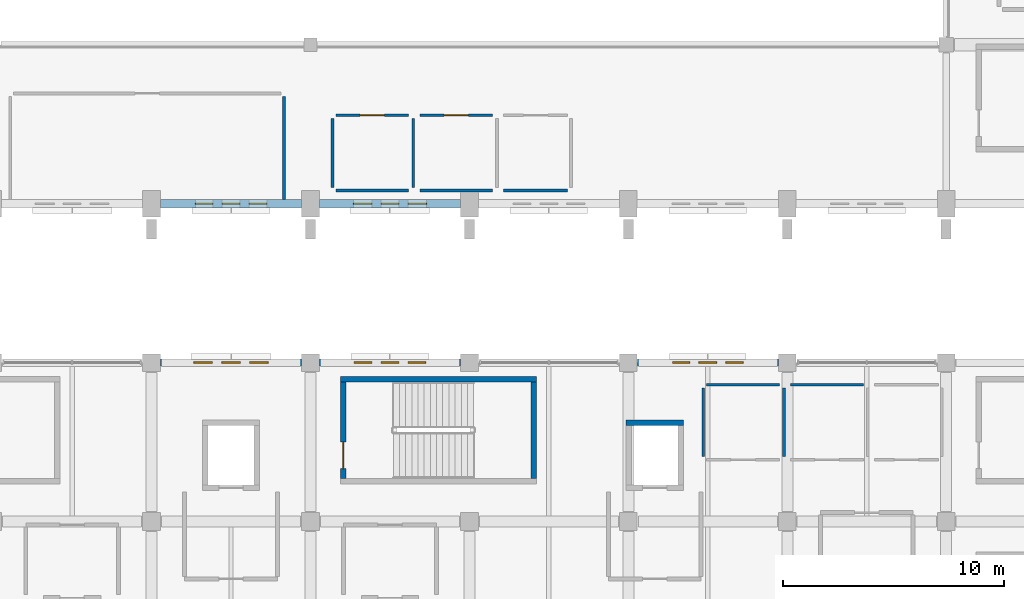
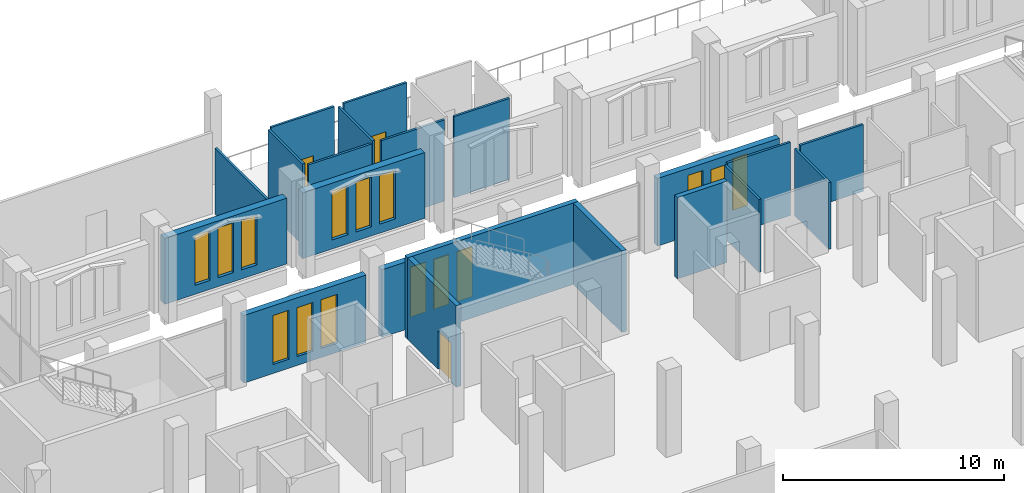
# One storey, part 161 of 220: 21 walls, 15 windows, 3 doors, 18 openings.
"""IFC4 building model written with IfcOpenShell, lengths in metres."""

import ifcopenshell
import ifcopenshell.guid

model = None  # the IFC model being written
_history = None  # IfcOwnerHistory: only IFC2X3 demands one
_inside = {}  # id of a spatial element -> (the spatial element, [elements in it])
_under = {}  # id of a project, library or spatial element -> (it, [spatial elements below it])
_declared = {}  # id of a project -> (the project, [libraries it declares])
_typed = {}  # id of a type object -> (the type object, [elements of that type])
_made_of = {}  # id of a material, layer set ... -> (it, [elements and type objects made of it])


def new_model(schema):
    """Start an empty IFC model of exactly this schema.

    Asked for "IFC4X3", IfcOpenShell would pick the latest addendum, in which some entities
    have other attributes; the version numbers below select the first issue.
    IFC2X3 requires an IfcOwnerHistory on every rooted entity: one is made here for all.
    """
    global model, _history
    if schema == "IFC4X3":
        model = ifcopenshell.file(schema_version=(4, 3, 0, 0))
    else:
        model = ifcopenshell.file(schema=schema)
    _inside.clear()
    _under.clear()
    _declared.clear()
    _typed.clear()
    _made_of.clear()
    _history = None
    if model.schema == "IFC2X3":
        org = make("IfcOrganization", Name="unknown")
        user = make(
            "IfcPersonAndOrganization",
            ThePerson=make("IfcPerson", FamilyName="unknown"),
            TheOrganization=org,
        )
        app = make(
            "IfcApplication",
            ApplicationDeveloper=org,
            Version="unknown",
            ApplicationFullName="unknown",
            ApplicationIdentifier="unknown",
        )
        _history = make(
            "IfcOwnerHistory",
            OwningUser=user,
            OwningApplication=app,
            ChangeAction="ADDED",
            CreationDate=0,
        )
    return model


def make(cls, **values):
    """One entity of the class cls with the attributes given. An attribute that is None is left unset."""
    return model.create_entity(
        cls, **{name: value for name, value in values.items() if value is not None}
    )


def rooted(cls, **values):
    """An entity with a GlobalId (a new one), such as an element, a storey or a relation."""
    return make(cls, GlobalId=ifcopenshell.guid.new(), OwnerHistory=_history, **values)


def si_unit(unit_type, name, prefix=None):
    """IfcSIUnit, for example si_unit("LENGTHUNIT", "METRE", prefix="MILLI")."""
    return make("IfcSIUnit", UnitType=unit_type, Prefix=prefix, Name=name)


def assignment(units):
    """IfcUnitAssignment: the units of a project."""
    return None if units is None else make("IfcUnitAssignment", Units=units)


def point(xyz):
    """IfcCartesianPoint."""
    return None if xyz is None else make("IfcCartesianPoint", Coordinates=xyz)


def direction(xyz):
    """IfcDirection."""
    return None if xyz is None else make("IfcDirection", DirectionRatios=xyz)


def frame(location, z_axis=None, x_axis=None):
    """IfcAxis2Placement3D, a coordinate frame: its origin and axes. An axis left out is left unset."""
    return make(
        "IfcAxis2Placement3D",
        Location=point(location),
        Axis=direction(z_axis),
        RefDirection=direction(x_axis),
    )


def frame_2d(location, x_axis=None):
    """IfcAxis2Placement2D, a coordinate frame in the plane: its origin and x axis."""
    return make(
        "IfcAxis2Placement2D", Location=point(location), RefDirection=direction(x_axis)
    )


def origin():
    """The frame at (0, 0, 0) with its axes left unset."""
    return frame((0.0, 0.0, 0.0))


def place(relative_to, where):
    """IfcLocalPlacement: puts the frame where relative to a parent placement (None: the world)."""
    return make(
        "IfcLocalPlacement", PlacementRelTo=relative_to, RelativePlacement=where
    )


def context(
    kind, dimensions, precision=None, world=None, true_north=None, identifier=None
):
    """IfcGeometricRepresentationContext, for example the 3D "Model" context."""
    return make(
        "IfcGeometricRepresentationContext",
        ContextIdentifier=identifier,
        ContextType=kind,
        CoordinateSpaceDimension=dimensions,
        Precision=precision,
        WorldCoordinateSystem=world,
        TrueNorth=true_north,
    )


def subcontext(parent, identifier, kind, view, scale=None):
    """IfcGeometricRepresentationSubContext, for example "Body" below "Model"."""
    return make(
        "IfcGeometricRepresentationSubContext",
        ContextIdentifier=identifier,
        ContextType=kind,
        ParentContext=parent,
        TargetScale=scale,
        TargetView=view,
    )


def project(units=None, contexts=None):
    """IfcProject with its units and contexts."""
    return rooted(
        "IfcProject",
        Name="project",
        RepresentationContexts=contexts,
        UnitsInContext=assignment(units),
    )


def spatial(cls, under=None, at=None, **own):
    """A site, building, storey or space (cls), placed at a placement, below another one or the project."""
    s = rooted(cls, ObjectPlacement=at, **own)
    if under is not None:
        _under.setdefault(under.id(), (under, []))[1].append(s)
    return s


def profile(cls, at=None, kind="AREA", **sizes):
    """A parametric profile (cls). Its sizes go by their IFC names, for example OverallWidth=200.0."""
    return make(cls, ProfileType=kind, Position=at, **sizes)


def rectangle(**sizes):
    """IfcRectangleProfileDef."""
    return profile("IfcRectangleProfileDef", **sizes)


def extrude(swept, where, along, depth):
    """IfcExtrudedAreaSolid: the profile swept, set in the frame where, extruded along a direction by depth."""
    return make(
        "IfcExtrudedAreaSolid",
        SweptArea=swept,
        Position=where,
        ExtrudedDirection=direction(along),
        Depth=depth,
    )


def shape(context_of_items, identifier, shape_type, items):
    """IfcShapeRepresentation: the items that make up one representation, for example the "Body"."""
    return make(
        "IfcShapeRepresentation",
        ContextOfItems=context_of_items,
        RepresentationIdentifier=identifier,
        RepresentationType=shape_type,
        Items=items,
    )


def material(Name=None, Category=None):
    """IfcMaterial."""
    return make("IfcMaterial", Name=Name, Category=Category)


def layer(
    of_material, thickness, ventilated=None, Name=None, Category=None, Priority=None
):
    """IfcMaterialLayer: one layer of a wall or slab, of a material (None: an air gap)."""
    return make(
        "IfcMaterialLayer",
        Material=of_material,
        LayerThickness=thickness,
        IsVentilated=ventilated,
        Name=Name,
        Category=Category,
        Priority=Priority,
    )


def layer_set(layers, Name=None):
    """IfcMaterialLayerSet."""
    return make("IfcMaterialLayerSet", MaterialLayers=layers, LayerSetName=Name)


def made_of(thing, what):
    """Note that an element or type object is made of a material, layer set ...; save() writes the relation."""
    if what is not None:
        _made_of.setdefault(what.id(), (what, []))[1].append(thing)
    return thing


def type_object(cls, material=None, **own):
    """A type object (cls), such as IfcWallType, which elements share."""
    return made_of(rooted(cls, **own), material)


def element(
    cls,
    number,
    at=None,
    inside=None,
    cuts=None,
    type_object=None,
    material=None,
    context=None,
    identifier="Body",
    shape_type=None,
    held_by="IfcProductDefinitionShape",
    body=None,
    shapes=None,
    **own,
):
    """One element of the class cls, such as IfcWall. Its Tag is "e" and its number.

    at: its placement. inside: the storey or other place that contains it. cuts: it is an
    opening in that element (IfcRelVoidsElement). A single representation is given by context,
    identifier, shape_type and body (its items); several are given by shapes. held_by: the class
    of the entity that holds the representations. save() writes the other relations.
    """
    e = rooted(cls, Tag="e%d" % number, ObjectPlacement=at, **own)
    if body is not None:
        shapes = [shape(context, identifier, shape_type, body)]
    if shapes is not None:
        e.Representation = make(held_by, Representations=shapes)
    if inside is not None:
        _inside.setdefault(inside.id(), (inside, []))[1].append(e)
    if cuts is not None:
        rooted(
            "IfcRelVoidsElement", RelatingBuildingElement=cuts, RelatedOpeningElement=e
        )
    if type_object is not None:
        _typed.setdefault(type_object.id(), (type_object, []))[1].append(e)
    return made_of(e, material)


def fill(opening, filler):
    """IfcRelFillsElement: the door or window that sits in an opening."""
    return rooted(
        "IfcRelFillsElement",
        RelatingOpeningElement=opening,
        RelatedBuildingElement=filler,
    )


def aggregate(whole, parts):
    """IfcRelAggregates: a whole, such as a stair, and the parts it consists of."""
    return rooted("IfcRelAggregates", RelatingObject=whole, RelatedObjects=parts)


def save(model, path):
    """Write the relations noted so far, then the file.

    IfcRelAggregates (storeys below a building ...), IfcRelContainedInSpatialStructure (elements
    in a storey), IfcRelDefinesByType, IfcRelAssociatesMaterial and IfcRelDeclares: one each for
    every whole, place, type object, material and project.
    """
    for whole, parts in _under.values():
        aggregate(whole, parts)
    for where, things in _inside.values():
        rooted(
            "IfcRelContainedInSpatialStructure",
            RelatedElements=things,
            RelatingStructure=where,
        )
    for kind, things in _typed.values():
        rooted("IfcRelDefinesByType", RelatedObjects=things, RelatingType=kind)
    for what, things in _made_of.values():
        rooted("IfcRelAssociatesMaterial", RelatedObjects=things, RelatingMaterial=what)
    for by, libraries in _declared.values():
        rooted("IfcRelDeclares", RelatingContext=by, RelatedDefinitions=libraries)
    model.write(path)


model = new_model("IFC4")

# Units and contexts
model_context = context("Model", 3, precision=1e-05, world=origin(), true_north=direction((0.0, 1.0)))
body_context = subcontext(model_context, "Body", "Model", "MODEL_VIEW")
ifc_project = project(units=[si_unit("LENGTHUNIT", "METRE"), si_unit("AREAUNIT", "SQUARE_METRE"), si_unit("VOLUMEUNIT", "CUBIC_METRE"), si_unit("PLANEANGLEUNIT", "RADIAN"), si_unit("MASSUNIT", "GRAM", prefix="KILO")], contexts=[model_context])

# Site, building, storey
site_placement = place(None, origin())
site = spatial("IfcSite", under=ifc_project, at=site_placement, CompositionType="ELEMENT")
building_placement = place(site_placement, origin())
building = spatial("IfcBuilding", under=site, at=building_placement, Name="Cendralis Lancet Convention Centre", CompositionType="ELEMENT")
storey_placement = place(building_placement, frame((0.0, 0.0, 5.39990234375)))
storey = spatial("IfcBuildingStorey", under=building, at=storey_placement, Name="L01", CompositionType="ELEMENT", Elevation=5.39990234375)

# Wall, openings, windows
ifc_material_1 = material(Name="Buff sandstone ashlar and Concrete G40 (C40/50)", Category="masonry")
ifc_layer_1 = layer(ifc_material_1, 0.320068359375, Name="Buff sandstone ashlar and Concrete G40 (C40/50)")
ifc_layer_set_1 = layer_set([ifc_layer_1], Name="Buff sandstone ashlar and Concrete G40 (C40/50)")
wall_type_1 = type_object("IfcWallType", Name="ARC-EW-W320", PredefinedType="STANDARD", material=ifc_layer_set_1)
wall_1_placement = place(storey_placement, frame((161.2080078125, 36.0, 0.0), z_axis=(0.0, 0.0, 1.0), x_axis=(1.0, 0.0, 0.0)))
wall_1 = element("IfcWall", 1, at=wall_1_placement, inside=storey, type_object=wall_type_1, Name="L01 V5 Exterior Wall EW-06 #0268", PredefinedType="STANDARD", context=body_context, shape_type="SweptSolid", body=[
    extrude(rectangle(XDim=6.384033203125, YDim=0.320068359375, at=frame_2d((3.19189453125, 0.0))), origin(), (0.0, 0.0, 1.0), 3.735107421875),
])
opening_1_placement = place(wall_1_placement, frame((1.511962890625, 0.0, 0.5)))
opening_1 = element("IfcOpeningElement", 2, at=opening_1_placement, cuts=wall_1, Name="Opening WN-15", PredefinedType="OPENING", context=body_context, shape_type="SweptSolid", body=[
    extrude(rectangle(XDim=0.840087890625, YDim=2.699951171875, at=frame_2d((0.419921875, 1.35009765625))), frame((0.0, 0.169921875, 0.0), z_axis=(0.0, -1.0, 0.0), x_axis=(1.0, 0.0, 0.0)), (0.0, 0.0, 1.0), 0.340087890625),
])
opening_2_placement = place(wall_1_placement, frame((2.77197265625, 0.0, 0.5)))
opening_2 = element("IfcOpeningElement", 3, at=opening_2_placement, cuts=wall_1, Name="Opening WN-15", PredefinedType="OPENING", context=body_context, shape_type="SweptSolid", body=[
    extrude(rectangle(XDim=0.840087890625, YDim=2.699951171875, at=frame_2d((0.419921875, 1.35009765625))), frame((0.0, 0.169921875, 0.0), z_axis=(0.0, -1.0, 0.0), x_axis=(1.0, 0.0, 0.0)), (0.0, 0.0, 1.0), 0.340087890625),
])
opening_3_placement = place(wall_1_placement, frame((4.031982421875, 0.0, 0.5)))
opening_3 = element("IfcOpeningElement", 4, at=opening_3_placement, cuts=wall_1, Name="Opening WN-15", PredefinedType="OPENING", context=body_context, shape_type="SweptSolid", body=[
    extrude(rectangle(XDim=0.840087890625, YDim=2.699951171875, at=frame_2d((0.419921875, 1.35009765625))), frame((0.0, 0.169921875, 0.0), z_axis=(0.0, -1.0, 0.0), x_axis=(1.0, 0.0, 0.0)), (0.0, 0.0, 1.0), 0.340087890625),
])
ifc_material_2 = material(Name="Double-glazed low-E solar-control glass", Category="glass")
window_type_1 = type_object("IfcWindowType", Name="ARC-WN-LW15", PartitioningType="SINGLE_PANEL", PredefinedType="WINDOW", material=ifc_material_2)
window_1_placement = place(opening_1_placement, origin())
window_1 = element("IfcWindow", 5, at=window_1_placement, inside=storey, type_object=window_type_1, Name="Gothic Lancet Window WN-15 #0508", OverallHeight=2.699951171875, OverallWidth=0.840087890625, PartitioningType="SINGLE_PANEL", PredefinedType="WINDOW", context=body_context, shape_type="SweptSolid", body=[
    extrude(rectangle(XDim=0.840087890625, YDim=2.699951171875, at=frame_2d((0.419921875, 1.35009765625))), frame((0.0, 0.030029296875, 0.0), z_axis=(0.0, -1.0, 0.0), x_axis=(1.0, 0.0, 0.0)), (0.0, 0.0, 1.0), 0.06005859375),
])
fill(opening_1, window_1)
window_2_placement = place(opening_2_placement, origin())
window_2 = element("IfcWindow", 6, at=window_2_placement, inside=storey, type_object=window_type_1, Name="Gothic Lancet Window WN-15 #0509", OverallHeight=2.699951171875, OverallWidth=0.840087890625, PartitioningType="SINGLE_PANEL", PredefinedType="WINDOW", context=body_context, shape_type="SweptSolid", body=[
    extrude(rectangle(XDim=0.840087890625, YDim=2.699951171875, at=frame_2d((0.419921875, 1.35009765625))), frame((0.0, 0.030029296875, 0.0), z_axis=(0.0, -1.0, 0.0), x_axis=(1.0, 0.0, 0.0)), (0.0, 0.0, 1.0), 0.06005859375),
])
fill(opening_2, window_2)
window_3_placement = place(opening_3_placement, origin())
window_3 = element("IfcWindow", 7, at=window_3_placement, inside=storey, type_object=window_type_1, Name="Gothic Lancet Window WN-15 #0510", OverallHeight=2.699951171875, OverallWidth=0.840087890625, PartitioningType="SINGLE_PANEL", PredefinedType="WINDOW", context=body_context, shape_type="SweptSolid", body=[
    extrude(rectangle(XDim=0.840087890625, YDim=2.699951171875, at=frame_2d((0.419921875, 1.35009765625))), frame((0.0, 0.030029296875, 0.0), z_axis=(0.0, -1.0, 0.0), x_axis=(1.0, 0.0, 0.0)), (0.0, 0.0, 1.0), 0.06005859375),
])
fill(opening_3, window_3)

wall_2_placement = place(storey_placement, frame((168.407958984375, 36.0, 0.0), z_axis=(0.0, 0.0, 1.0), x_axis=(1.0, 0.0, 0.0)))
wall_2 = element("IfcWall", 8, at=wall_2_placement, inside=storey, type_object=wall_type_1, Name="L01 V5 Exterior Wall EW-06 #0269", PredefinedType="STANDARD", context=body_context, shape_type="SweptSolid", body=[
    extrude(rectangle(XDim=6.384033203125, YDim=0.320068359375, at=frame_2d((3.19189453125, 0.0))), origin(), (0.0, 0.0, 1.0), 3.735107421875),
])
opening_4_placement = place(wall_2_placement, frame((1.572021484375, 0.0, 0.5)))
opening_4 = element("IfcOpeningElement", 9, at=opening_4_placement, cuts=wall_2, Name="Opening WN-07", PredefinedType="OPENING", context=body_context, shape_type="SweptSolid", body=[
    extrude(rectangle(XDim=0.800048828125, YDim=2.75, at=frame_2d((0.39990234375, 1.375))), frame((0.0, 0.169921875, 0.0), z_axis=(0.0, -1.0, 0.0), x_axis=(1.0, 0.0, 0.0)), (0.0, 0.0, 1.0), 0.340087890625),
])
opening_5_placement = place(wall_2_placement, frame((2.7919921875, 0.0, 0.5)))
opening_5 = element("IfcOpeningElement", 10, at=opening_5_placement, cuts=wall_2, Name="Opening WN-07", PredefinedType="OPENING", context=body_context, shape_type="SweptSolid", body=[
    extrude(rectangle(XDim=0.800048828125, YDim=2.75, at=frame_2d((0.39990234375, 1.375))), frame((0.0, 0.169921875, 0.0), z_axis=(0.0, -1.0, 0.0), x_axis=(1.0, 0.0, 0.0)), (0.0, 0.0, 1.0), 0.340087890625),
])
opening_6_placement = place(wall_2_placement, frame((4.011962890625, 0.0, 0.5)))
opening_6 = element("IfcOpeningElement", 11, at=opening_6_placement, cuts=wall_2, Name="Opening WN-07", PredefinedType="OPENING", context=body_context, shape_type="SweptSolid", body=[
    extrude(rectangle(XDim=0.800048828125, YDim=2.75, at=frame_2d((0.39990234375, 1.375))), frame((0.0, 0.169921875, 0.0), z_axis=(0.0, -1.0, 0.0), x_axis=(1.0, 0.0, 0.0)), (0.0, 0.0, 1.0), 0.340087890625),
])
window_type_2 = type_object("IfcWindowType", Name="ARC-WN-LW07", PartitioningType="SINGLE_PANEL", PredefinedType="WINDOW", material=ifc_material_2)
window_4_placement = place(opening_4_placement, origin())
window_4 = element("IfcWindow", 12, at=window_4_placement, inside=storey, type_object=window_type_2, Name="Gothic Lancet Window WN-07 #0511", OverallHeight=2.75, OverallWidth=0.800048828125, PartitioningType="SINGLE_PANEL", PredefinedType="WINDOW", context=body_context, shape_type="SweptSolid", body=[
    extrude(rectangle(XDim=0.800048828125, YDim=2.75, at=frame_2d((0.39990234375, 1.375))), frame((0.0, 0.030029296875, 0.0), z_axis=(0.0, -1.0, 0.0), x_axis=(1.0, 0.0, 0.0)), (0.0, 0.0, 1.0), 0.06005859375),
])
fill(opening_4, window_4)
window_5_placement = place(opening_5_placement, origin())
window_5 = element("IfcWindow", 13, at=window_5_placement, inside=storey, type_object=window_type_2, Name="Gothic Lancet Window WN-07 #0512", OverallHeight=2.75, OverallWidth=0.800048828125, PartitioningType="SINGLE_PANEL", PredefinedType="WINDOW", context=body_context, shape_type="SweptSolid", body=[
    extrude(rectangle(XDim=0.800048828125, YDim=2.75, at=frame_2d((0.39990234375, 1.375))), frame((0.0, 0.030029296875, 0.0), z_axis=(0.0, -1.0, 0.0), x_axis=(1.0, 0.0, 0.0)), (0.0, 0.0, 1.0), 0.06005859375),
])
fill(opening_5, window_5)
window_6_placement = place(opening_6_placement, origin())
window_6 = element("IfcWindow", 14, at=window_6_placement, inside=storey, type_object=window_type_2, Name="Gothic Lancet Window WN-07 #0513", OverallHeight=2.75, OverallWidth=0.800048828125, PartitioningType="SINGLE_PANEL", PredefinedType="WINDOW", context=body_context, shape_type="SweptSolid", body=[
    extrude(rectangle(XDim=0.800048828125, YDim=2.75, at=frame_2d((0.39990234375, 1.375))), frame((0.0, 0.030029296875, 0.0), z_axis=(0.0, -1.0, 0.0), x_axis=(1.0, 0.0, 0.0)), (0.0, 0.0, 1.0), 0.06005859375),
])
fill(opening_6, window_6)

wall_3_placement = place(storey_placement, frame((182.80810546875, 36.0, 0.0), z_axis=(0.0, 0.0, 1.0), x_axis=(1.0, 0.0, 0.0)))
wall_3 = element("IfcWall", 15, at=wall_3_placement, inside=storey, type_object=wall_type_1, Name="L01 V5 Exterior Wall EW-06 #0270", PredefinedType="STANDARD", context=body_context, shape_type="SweptSolid", body=[
    extrude(rectangle(XDim=6.3837890625, YDim=0.320068359375, at=frame_2d((3.19189453125, 0.0))), origin(), (0.0, 0.0, 1.0), 3.735107421875),
])
opening_7_placement = place(wall_3_placement, frame((1.592041015625, 0.0, 0.5)))
opening_7 = element("IfcOpeningElement", 16, at=opening_7_placement, cuts=wall_3, Name="Opening WN-01", PredefinedType="OPENING", context=body_context, shape_type="SweptSolid", body=[
    extrude(rectangle(XDim=0.780029296875, YDim=2.85009765625, at=frame_2d((0.39013671875, 1.425048828125))), frame((0.0, 0.169921875, 0.0), z_axis=(0.0, -1.0, 0.0), x_axis=(1.0, 0.0, 0.0)), (0.0, 0.0, 1.0), 0.340087890625),
])
opening_8_placement = place(wall_3_placement, frame((2.7919921875, 0.0, 0.5)))
opening_8 = element("IfcOpeningElement", 17, at=opening_8_placement, cuts=wall_3, Name="Opening WN-07", PredefinedType="OPENING", context=body_context, shape_type="SweptSolid", body=[
    extrude(rectangle(XDim=0.800048828125, YDim=2.75, at=frame_2d((0.39990234375, 1.375))), frame((0.0, 0.169921875, 0.0), z_axis=(0.0, -1.0, 0.0), x_axis=(1.0, 0.0, 0.0)), (0.0, 0.0, 1.0), 0.340087890625),
])
opening_9_placement = place(wall_3_placement, frame((4.011962890625, 0.0, 0.5)))
opening_9 = element("IfcOpeningElement", 18, at=opening_9_placement, cuts=wall_3, Name="Opening WN-01", PredefinedType="OPENING", context=body_context, shape_type="SweptSolid", body=[
    extrude(rectangle(XDim=0.780029296875, YDim=2.85009765625, at=frame_2d((0.39013671875, 1.425048828125))), frame((0.0, 0.169921875, 0.0), z_axis=(0.0, -1.0, 0.0), x_axis=(1.0, 0.0, 0.0)), (0.0, 0.0, 1.0), 0.340087890625),
])
window_type_3 = type_object("IfcWindowType", Name="ARC-WN-LW01", PartitioningType="SINGLE_PANEL", PredefinedType="WINDOW", material=ifc_material_2)
window_7_placement = place(opening_7_placement, origin())
window_7 = element("IfcWindow", 19, at=window_7_placement, inside=storey, type_object=window_type_3, Name="Gothic Lancet Window WN-01 #0514", OverallHeight=2.85009765625, OverallWidth=0.780029296875, PartitioningType="SINGLE_PANEL", PredefinedType="WINDOW", context=body_context, shape_type="SweptSolid", body=[
    extrude(rectangle(XDim=0.780029296875, YDim=2.85009765625, at=frame_2d((0.39013671875, 1.425048828125))), frame((0.0, 0.030029296875, 0.0), z_axis=(0.0, -1.0, 0.0), x_axis=(1.0, 0.0, 0.0)), (0.0, 0.0, 1.0), 0.06005859375),
])
fill(opening_7, window_7)
window_8_placement = place(opening_9_placement, origin())
window_8 = element("IfcWindow", 20, at=window_8_placement, inside=storey, type_object=window_type_3, Name="Gothic Lancet Window WN-01 #0516", OverallHeight=2.85009765625, OverallWidth=0.780029296875, PartitioningType="SINGLE_PANEL", PredefinedType="WINDOW", context=body_context, shape_type="SweptSolid", body=[
    extrude(rectangle(XDim=0.780029296875, YDim=2.85009765625, at=frame_2d((0.39013671875, 1.425048828125))), frame((0.0, 0.030029296875, 0.0), z_axis=(0.0, -1.0, 0.0), x_axis=(1.0, 0.0, 0.0)), (0.0, 0.0, 1.0), 0.06005859375),
])
fill(opening_9, window_8)
window_9_placement = place(opening_8_placement, origin())
window_9 = element("IfcWindow", 21, at=window_9_placement, inside=storey, type_object=window_type_2, Name="Gothic Lancet Window WN-07 #0515", OverallHeight=2.75, OverallWidth=0.800048828125, PartitioningType="SINGLE_PANEL", PredefinedType="WINDOW", context=body_context, shape_type="SweptSolid", body=[
    extrude(rectangle(XDim=0.800048828125, YDim=2.75, at=frame_2d((0.39990234375, 1.375))), frame((0.0, 0.030029296875, 0.0), z_axis=(0.0, -1.0, 0.0), x_axis=(1.0, 0.0, 0.0)), (0.0, 0.0, 1.0), 0.06005859375),
])
fill(opening_8, window_9)

ifc_layer_2 = layer(ifc_material_1, 0.3798828125, Name="Buff sandstone ashlar and Concrete G40 (C40/50)")
ifc_layer_set_2 = layer_set([ifc_layer_2], Name="Buff sandstone ashlar and Concrete G40 (C40/50)")
wall_type_2 = type_object("IfcWallType", Name="ARC-EW-W380", PredefinedType="STANDARD", material=ifc_layer_set_2)
wall_4_placement = place(storey_placement, frame((167.592041015625, 43.199951171875, 0.0), z_axis=(0.0, 0.0, 1.0), x_axis=(-1.0, 0.0, 0.0)))
wall_4 = element("IfcWall", 22, at=wall_4_placement, inside=storey, type_object=wall_type_2, Name="L01 V2 Exterior Wall EW-03 #0093", PredefinedType="STANDARD", context=body_context, shape_type="SweptSolid", body=[
    extrude(rectangle(XDim=6.384033203125, YDim=0.3798828125, at=frame_2d((3.19189453125, 0.0))), origin(), (0.0, 0.0, 1.0), 3.635009765625),
])
opening_10_placement = place(wall_4_placement, frame((1.572021484375, 0.0, 0.5)))
opening_10 = element("IfcOpeningElement", 23, at=opening_10_placement, cuts=wall_4, Name="Opening WN-07", PredefinedType="OPENING", context=body_context, shape_type="SweptSolid", body=[
    extrude(rectangle(XDim=0.800048828125, YDim=2.75, at=frame_2d((0.39990234375, 1.375))), frame((0.0, 0.199951171875, 0.0), z_axis=(0.0, -1.0, 0.0), x_axis=(1.0, 0.0, 0.0)), (0.0, 0.0, 1.0), 0.39990234375),
])
opening_11_placement = place(wall_4_placement, frame((2.7919921875, 0.0, 0.5)))
opening_11 = element("IfcOpeningElement", 24, at=opening_11_placement, cuts=wall_4, Name="Opening WN-07", PredefinedType="OPENING", context=body_context, shape_type="SweptSolid", body=[
    extrude(rectangle(XDim=0.800048828125, YDim=2.75, at=frame_2d((0.39990234375, 1.375))), frame((0.0, 0.199951171875, 0.0), z_axis=(0.0, -1.0, 0.0), x_axis=(1.0, 0.0, 0.0)), (0.0, 0.0, 1.0), 0.39990234375),
])
opening_12_placement = place(wall_4_placement, frame((4.011962890625, 0.0, 0.5)))
opening_12 = element("IfcOpeningElement", 25, at=opening_12_placement, cuts=wall_4, Name="Opening WN-07", PredefinedType="OPENING", context=body_context, shape_type="SweptSolid", body=[
    extrude(rectangle(XDim=0.800048828125, YDim=2.75, at=frame_2d((0.39990234375, 1.375))), frame((0.0, 0.199951171875, 0.0), z_axis=(0.0, -1.0, 0.0), x_axis=(1.0, 0.0, 0.0)), (0.0, 0.0, 1.0), 0.39990234375),
])
window_10_placement = place(opening_10_placement, origin())
window_10 = element("IfcWindow", 26, at=window_10_placement, inside=storey, type_object=window_type_2, Name="Gothic Lancet Window WN-07 #0156", OverallHeight=2.75, OverallWidth=0.800048828125, PartitioningType="SINGLE_PANEL", PredefinedType="WINDOW", context=body_context, shape_type="SweptSolid", body=[
    extrude(rectangle(XDim=0.800048828125, YDim=2.75, at=frame_2d((0.39990234375, 1.375))), frame((0.0, 0.030029296875, 0.0), z_axis=(0.0, -1.0, 0.0), x_axis=(1.0, 0.0, 0.0)), (0.0, 0.0, 1.0), 0.06005859375),
])
fill(opening_10, window_10)
window_11_placement = place(opening_11_placement, origin())
window_11 = element("IfcWindow", 27, at=window_11_placement, inside=storey, type_object=window_type_2, Name="Gothic Lancet Window WN-07 #0157", OverallHeight=2.75, OverallWidth=0.800048828125, PartitioningType="SINGLE_PANEL", PredefinedType="WINDOW", context=body_context, shape_type="SweptSolid", body=[
    extrude(rectangle(XDim=0.800048828125, YDim=2.75, at=frame_2d((0.39990234375, 1.375))), frame((0.0, 0.030029296875, 0.0), z_axis=(0.0, -1.0, 0.0), x_axis=(1.0, 0.0, 0.0)), (0.0, 0.0, 1.0), 0.06005859375),
])
fill(opening_11, window_11)
window_12_placement = place(opening_12_placement, origin())
window_12 = element("IfcWindow", 28, at=window_12_placement, inside=storey, type_object=window_type_2, Name="Gothic Lancet Window WN-07 #0158", OverallHeight=2.75, OverallWidth=0.800048828125, PartitioningType="SINGLE_PANEL", PredefinedType="WINDOW", context=body_context, shape_type="SweptSolid", body=[
    extrude(rectangle(XDim=0.800048828125, YDim=2.75, at=frame_2d((0.39990234375, 1.375))), frame((0.0, 0.030029296875, 0.0), z_axis=(0.0, -1.0, 0.0), x_axis=(1.0, 0.0, 0.0)), (0.0, 0.0, 1.0), 0.06005859375),
])
fill(opening_12, window_12)

wall_5_placement = place(storey_placement, frame((174.7919921875, 43.199951171875, 0.0), z_axis=(0.0, 0.0, 1.0), x_axis=(-1.0, 0.0, 0.0)))
wall_5 = element("IfcWall", 29, at=wall_5_placement, inside=storey, type_object=wall_type_2, Name="L01 V2 Exterior Wall EW-03 #0094", PredefinedType="STANDARD", context=body_context, shape_type="SweptSolid", body=[
    extrude(rectangle(XDim=6.384033203125, YDim=0.3798828125, at=frame_2d((3.19189453125, 0.0))), origin(), (0.0, 0.0, 1.0), 3.635009765625),
])
opening_13_placement = place(wall_5_placement, frame((1.531982421875, 0.0, 0.5)))
opening_13 = element("IfcOpeningElement", 30, at=opening_13_placement, cuts=wall_5, Name="Opening WN-15", PredefinedType="OPENING", context=body_context, shape_type="SweptSolid", body=[
    extrude(rectangle(XDim=0.840087890625, YDim=2.699951171875, at=frame_2d((0.419921875, 1.35009765625))), frame((0.0, 0.199951171875, 0.0), z_axis=(0.0, -1.0, 0.0), x_axis=(1.0, 0.0, 0.0)), (0.0, 0.0, 1.0), 0.39990234375),
])
opening_14_placement = place(wall_5_placement, frame((2.7919921875, 0.0, 0.5)))
opening_14 = element("IfcOpeningElement", 31, at=opening_14_placement, cuts=wall_5, Name="Opening WN-07", PredefinedType="OPENING", context=body_context, shape_type="SweptSolid", body=[
    extrude(rectangle(XDim=0.800048828125, YDim=2.75, at=frame_2d((0.39990234375, 1.375))), frame((0.0, 0.199951171875, 0.0), z_axis=(0.0, -1.0, 0.0), x_axis=(1.0, 0.0, 0.0)), (0.0, 0.0, 1.0), 0.39990234375),
])
opening_15_placement = place(wall_5_placement, frame((4.011962890625, 0.0, 0.5)))
opening_15 = element("IfcOpeningElement", 32, at=opening_15_placement, cuts=wall_5, Name="Opening WN-15", PredefinedType="OPENING", context=body_context, shape_type="SweptSolid", body=[
    extrude(rectangle(XDim=0.840087890625, YDim=2.699951171875, at=frame_2d((0.419921875, 1.35009765625))), frame((0.0, 0.199951171875, 0.0), z_axis=(0.0, -1.0, 0.0), x_axis=(1.0, 0.0, 0.0)), (0.0, 0.0, 1.0), 0.39990234375),
])
window_13_placement = place(opening_14_placement, origin())
window_13 = element("IfcWindow", 33, at=window_13_placement, inside=storey, type_object=window_type_2, Name="Gothic Lancet Window WN-07 #0160", OverallHeight=2.75, OverallWidth=0.800048828125, PartitioningType="SINGLE_PANEL", PredefinedType="WINDOW", context=body_context, shape_type="SweptSolid", body=[
    extrude(rectangle(XDim=0.800048828125, YDim=2.75, at=frame_2d((0.39990234375, 1.375))), frame((0.0, 0.030029296875, 0.0), z_axis=(0.0, -1.0, 0.0), x_axis=(1.0, 0.0, 0.0)), (0.0, 0.0, 1.0), 0.06005859375),
])
fill(opening_14, window_13)
window_14_placement = place(opening_13_placement, origin())
window_14 = element("IfcWindow", 34, at=window_14_placement, inside=storey, type_object=window_type_1, Name="Gothic Lancet Window WN-15 #0159", OverallHeight=2.699951171875, OverallWidth=0.840087890625, PartitioningType="SINGLE_PANEL", PredefinedType="WINDOW", context=body_context, shape_type="SweptSolid", body=[
    extrude(rectangle(XDim=0.840087890625, YDim=2.699951171875, at=frame_2d((0.419921875, 1.35009765625))), frame((0.0, 0.030029296875, 0.0), z_axis=(0.0, -1.0, 0.0), x_axis=(1.0, 0.0, 0.0)), (0.0, 0.0, 1.0), 0.06005859375),
])
fill(opening_13, window_14)
window_15_placement = place(opening_15_placement, origin())
window_15 = element("IfcWindow", 35, at=window_15_placement, inside=storey, type_object=window_type_1, Name="Gothic Lancet Window WN-15 #0161", OverallHeight=2.699951171875, OverallWidth=0.840087890625, PartitioningType="SINGLE_PANEL", PredefinedType="WINDOW", context=body_context, shape_type="SweptSolid", body=[
    extrude(rectangle(XDim=0.840087890625, YDim=2.699951171875, at=frame_2d((0.419921875, 1.35009765625))), frame((0.0, 0.030029296875, 0.0), z_axis=(0.0, -1.0, 0.0), x_axis=(1.0, 0.0, 0.0)), (0.0, 0.0, 1.0), 0.06005859375),
])
fill(opening_15, window_15)

# Wall
ifc_material_3 = material(Name="Acoustic fire-rated gypsum board on steel studs", Category="steel")
ifc_layer_3 = layer(ifc_material_3, 0.1201171875, Name="Acoustic fire-rated gypsum board on steel studs")
ifc_layer_set_3 = layer_set([ifc_layer_3], Name="Acoustic fire-rated gypsum board on steel studs")
wall_type_3 = type_object("IfcWallType", Name="ARC-IW-P120", PredefinedType="PARTITIONING", material=ifc_layer_set_3)
wall_6_placement = place(storey_placement, frame((166.800048828125, 43.39990234375, 0.0), z_axis=(0.0, 0.0, 1.0), x_axis=(0.0, 1.0, 0.0)))
element("IfcWall", 36, at=wall_6_placement, inside=storey, type_object=wall_type_3, Name="L01 Interior Partition IW-05 #0081", PredefinedType="PARTITIONING", context=body_context, shape_type="SweptSolid", body=[
    extrude(rectangle(XDim=4.66015625, YDim=0.1201171875, at=frame_2d((2.330078125, 0.0))), origin(), (0.0, 0.0, 1.0), 3.635009765625),
])

# Wall, opening, door
wall_7_placement = place(storey_placement, frame((169.14990234375, 47.199951171875, 0.0), z_axis=(0.0, 0.0, 1.0), x_axis=(1.0, 0.0, 0.0)))
wall_7 = element("IfcWall", 37, at=wall_7_placement, inside=storey, type_object=wall_type_3, Name="L01 Interior Partition IW-05 #0090", PredefinedType="PARTITIONING", context=body_context, shape_type="SweptSolid", body=[
    extrude(rectangle(XDim=3.300048828125, YDim=0.1201171875, at=frame_2d((1.64990234375, 0.0))), origin(), (0.0, 0.0, 1.0), 4.485107421875),
])
opening_16_placement = place(wall_7_placement, frame((1.10009765625, 0.0, 0.0)))
opening_16 = element("IfcOpeningElement", 38, at=opening_16_placement, cuts=wall_7, Name="Opening FD-11", PredefinedType="OPENING", context=body_context, shape_type="SweptSolid", body=[
    extrude(rectangle(XDim=1.10009765625, YDim=2.14990234375, at=frame_2d((0.550048828125, 1.074951171875))), frame((0.0, 0.070068359375, 0.0), z_axis=(0.0, -1.0, 0.0), x_axis=(1.0, 0.0, 0.0)), (0.0, 0.0, 1.0), 0.14013671875),
])
ifc_material_4 = material(Name="Steel S355", Category="steel")
door_type_1 = type_object("IfcDoorType", Name="ARC-DR-FF11", OperationType="NOTDEFINED", PredefinedType="DOOR", material=ifc_material_4)
door_1_placement = place(opening_16_placement, origin())
door_1 = element("IfcDoor", 39, at=door_1_placement, inside=storey, type_object=door_type_1, Name="L01-D015 L01 Interior Door FD-11 #0030", OperationType="SINGLE_SWING_RIGHT", OverallHeight=2.14990234375, OverallWidth=1.10009765625, PredefinedType="DOOR", context=body_context, shape_type="SweptSolid", body=[
    extrude(rectangle(XDim=1.10009765625, YDim=2.14990234375, at=frame_2d((0.550048828125, 1.074951171875))), frame((0.0, 0.02490234375, 0.0), z_axis=(0.0, -1.0, 0.0), x_axis=(1.0, 0.0, 0.0)), (0.0, 0.0, 1.0), 0.050048828125),
])
fill(opening_16, door_1)

# Walls
wall_8_placement = place(storey_placement, frame((169.14990234375, 43.800048828125, 0.0), z_axis=(0.0, 0.0, 1.0), x_axis=(1.0, 0.0, 0.0)))
element("IfcWall", 40, at=wall_8_placement, inside=storey, type_object=wall_type_3, Name="L01 Interior Partition IW-05 #0091", PredefinedType="PARTITIONING", context=body_context, shape_type="SweptSolid", body=[
    extrude(rectangle(XDim=3.300048828125, YDim=0.1201171875, at=frame_2d((1.64990234375, 0.0))), origin(), (0.0, 0.0, 1.0), 4.485107421875),
])
for number, where, z_axis, x_axis, name in (
    (41, (169.0, 43.93994140625, 0.0), (0.0, 0.0, 1.0), (0.0, 1.0, 0.0), "L01 Interior Partition IW-05 #0092"),
    (42, (172.64990234375, 43.93994140625, 0.0), (0.0, 0.0, 1.0), (0.0, 1.0, 0.0), "L01 Interior Partition IW-05 #0093"),
):
    element("IfcWall", number, at=place(storey_placement, frame(where, z_axis=z_axis, x_axis=x_axis)), inside=storey, type_object=wall_type_3, Name=name, PredefinedType="PARTITIONING", context=body_context, shape_type="SweptSolid", body=[
        extrude(rectangle(XDim=3.1201171875, YDim=0.1201171875, at=frame_2d((1.56005859375, 0.0))), origin(), (0.0, 0.0, 1.0), 4.485107421875),
    ])

# Wall, opening, door
wall_9_placement = place(storey_placement, frame((172.949951171875, 47.199951171875, 0.0), z_axis=(0.0, 0.0, 1.0), x_axis=(1.0, 0.0, 0.0)))
wall_9 = element("IfcWall", 43, at=wall_9_placement, inside=storey, type_object=wall_type_3, Name="L01 Interior Partition IW-05 #0094", PredefinedType="PARTITIONING", context=body_context, shape_type="SweptSolid", body=[
    extrude(rectangle(XDim=3.300048828125, YDim=0.1201171875, at=frame_2d((1.64990234375, 0.0))), origin(), (0.0, 0.0, 1.0), 4.485107421875),
])
opening_17_placement = place(wall_9_placement, frame((1.10009765625, 0.0, 0.0)))
opening_17 = element("IfcOpeningElement", 44, at=opening_17_placement, cuts=wall_9, Name="Opening FD-11", PredefinedType="OPENING", context=body_context, shape_type="SweptSolid", body=[
    extrude(rectangle(XDim=1.10009765625, YDim=2.14990234375, at=frame_2d((0.550048828125, 1.074951171875))), frame((0.0, 0.070068359375, 0.0), z_axis=(0.0, -1.0, 0.0), x_axis=(1.0, 0.0, 0.0)), (0.0, 0.0, 1.0), 0.14013671875),
])
door_2_placement = place(opening_17_placement, frame((1.10009765625, 0.0, 0.0), z_axis=(0.0, 0.0, 1.0), x_axis=(-1.0, 0.0, 0.0)))
door_2 = element("IfcDoor", 45, at=door_2_placement, inside=storey, type_object=door_type_1, Name="L01-D016 L01 Interior Door FD-11 #0031", OperationType="SINGLE_SWING_LEFT", OverallHeight=2.14990234375, OverallWidth=1.10009765625, PredefinedType="DOOR", context=body_context, shape_type="SweptSolid", body=[
    extrude(rectangle(XDim=1.10009765625, YDim=2.14990234375, at=frame_2d((0.550048828125, 1.074951171875))), frame((0.0, 0.02490234375, 0.0), z_axis=(0.0, -1.0, 0.0), x_axis=(1.0, 0.0, 0.0)), (0.0, 0.0, 1.0), 0.050048828125),
])
fill(opening_17, door_2)

# Walls
wall_10_placement = place(storey_placement, frame((172.949951171875, 43.800048828125, 0.0), z_axis=(0.0, 0.0, 1.0), x_axis=(1.0, 0.0, 0.0)))
element("IfcWall", 46, at=wall_10_placement, inside=storey, type_object=wall_type_3, Name="L01 Interior Partition IW-05 #0095", PredefinedType="PARTITIONING", context=body_context, shape_type="SweptSolid", body=[
    extrude(rectangle(XDim=3.300048828125, YDim=0.1201171875, at=frame_2d((1.64990234375, 0.0))), origin(), (0.0, 0.0, 1.0), 4.485107421875),
])
wall_11_placement = place(storey_placement, frame((176.75, 43.800048828125, 0.0), z_axis=(0.0, 0.0, 1.0), x_axis=(1.0, 0.0, 0.0)))
element("IfcWall", 47, at=wall_11_placement, inside=storey, type_object=wall_type_3, Name="L01 Interior Partition IW-05 #0098", PredefinedType="PARTITIONING", context=body_context, shape_type="SweptSolid", body=[
    extrude(rectangle(XDim=2.89990234375, YDim=0.1201171875, at=frame_2d((1.449951171875, 0.0))), origin(), (0.0, 0.0, 1.0), 4.485107421875),
])
wall_12_placement = place(storey_placement, frame((185.949951171875, 35.0, 0.0), z_axis=(0.0, 0.0, 1.0), x_axis=(1.0, 0.0, 0.0)))
element("IfcWall", 48, at=wall_12_placement, inside=storey, type_object=wall_type_3, Name="L01 Interior Partition IW-05 #0377", PredefinedType="PARTITIONING", context=body_context, shape_type="SweptSolid", body=[
    extrude(rectangle(XDim=3.300048828125, YDim=0.1201171875, at=frame_2d((1.64990234375, 0.0))), origin(), (0.0, 0.0, 1.0), 4.03515625),
])
wall_13_placement = place(storey_placement, frame((185.800048828125, 31.739990234375, 0.0), z_axis=(0.0, 0.0, 1.0), x_axis=(0.0, 1.0, 0.0)))
element("IfcWall", 49, at=wall_13_placement, inside=storey, type_object=wall_type_3, Name="L01 Interior Partition IW-05 #0378", PredefinedType="PARTITIONING", context=body_context, shape_type="SweptSolid", body=[
    extrude(rectangle(XDim=3.1201171875, YDim=0.1201171875, at=frame_2d((1.56005859375, 0.0))), origin(), (0.0, 0.0, 1.0), 4.03515625),
])
wall_14_placement = place(storey_placement, frame((189.449951171875, 31.739990234375, 0.0), z_axis=(0.0, 0.0, 1.0), x_axis=(0.0, 1.0, 0.0)))
element("IfcWall", 50, at=wall_14_placement, inside=storey, type_object=wall_type_3, Name="L01 Interior Partition IW-05 #0379", PredefinedType="PARTITIONING", context=body_context, shape_type="SweptSolid", body=[
    extrude(rectangle(XDim=3.1201171875, YDim=0.1201171875, at=frame_2d((1.56005859375, 0.0))), origin(), (0.0, 0.0, 1.0), 3.68505859375),
])
wall_15_placement = place(storey_placement, frame((189.75, 35.0, 0.0), z_axis=(0.0, 0.0, 1.0), x_axis=(1.0, 0.0, 0.0)))
element("IfcWall", 51, at=wall_15_placement, inside=storey, type_object=wall_type_3, Name="L01 Interior Partition IW-05 #0381", PredefinedType="PARTITIONING", context=body_context, shape_type="SweptSolid", body=[
    extrude(rectangle(XDim=3.300048828125, YDim=0.1201171875, at=frame_2d((1.64990234375, 0.0))), origin(), (0.0, 0.0, 1.0), 3.68505859375),
])

# Wall, opening, door
ifc_material_5 = material(Name="Concrete G40 (C40/50)", Category="concrete")
ifc_layer_4 = layer(ifc_material_5, 0.25, Name="Concrete G40 (C40/50)")
ifc_layer_set_4 = layer_set([ifc_layer_4], Name="Concrete G40 (C40/50)")
wall_type_4 = type_object("IfcWallType", Name="STR-SW-CW250", PredefinedType="SHEAR", material=ifc_layer_set_4)
wall_16_placement = place(storey_placement, frame((169.47509765625, 30.75, 0.0), z_axis=(0.0, 0.0, 1.0), x_axis=(0.0, 1.0, 0.0)))
wall_16 = element("IfcWall", 52, at=wall_16_placement, inside=storey, type_object=wall_type_4, Name="L01 Stair Core ST-14 West Shear Wall", PredefinedType="SHEAR", context=body_context, shape_type="SweptSolid", body=[
    extrude(rectangle(XDim=4.3798828125, YDim=0.25, at=frame_2d((2.18994140625, 0.0))), origin(), (0.0, 0.0, 1.0), 4.5),
])
opening_18_placement = place(wall_16_placement, frame((0.449951171875, 0.0, 0.0)))
opening_18 = element("IfcOpeningElement", 53, at=opening_18_placement, cuts=wall_16, Name="Opening SD-12", PredefinedType="OPENING", context=body_context, shape_type="SweptSolid", body=[
    extrude(rectangle(XDim=1.199951171875, YDim=2.14990234375, at=frame_2d((0.60009765625, 1.074951171875))), frame((0.0, 0.135009765625, 0.0), z_axis=(0.0, -1.0, 0.0), x_axis=(1.0, 0.0, 0.0)), (0.0, 0.0, 1.0), 0.27001953125),
])
door_type_2 = type_object("IfcDoorType", Name="ARC-DR-ST12", OperationType="NOTDEFINED", PredefinedType="DOOR", material=ifc_material_4)
door_3_placement = place(opening_18_placement, frame((1.199951171875, 0.0, 0.0), z_axis=(0.0, 0.0, 1.0), x_axis=(-1.0, 0.0, 0.0)))
door_3 = element("IfcDoor", 54, at=door_3_placement, inside=storey, type_object=door_type_2, Name="L01-D081 L01 Exit Stair ST-14 Fire Door", OperationType="SINGLE_SWING_LEFT", OverallHeight=2.14990234375, OverallWidth=1.199951171875, PredefinedType="DOOR", context=body_context, shape_type="SweptSolid", body=[
    extrude(rectangle(XDim=1.199951171875, YDim=2.14990234375, at=frame_2d((0.60009765625, 1.074951171875))), frame((0.0, 0.02490234375, 0.0), z_axis=(0.0, -1.0, 0.0), x_axis=(1.0, 0.0, 0.0)), (0.0, 0.0, 1.0), 0.050048828125),
])
fill(opening_18, door_3)

# Walls
wall_17_placement = place(storey_placement, frame((178.125, 30.75, 0.0), z_axis=(0.0, 0.0, 1.0), x_axis=(0.0, 1.0, 0.0)))
element("IfcWall", 55, at=wall_17_placement, inside=storey, type_object=wall_type_4, Name="L01 Stair Core ST-14 East Shear Wall", PredefinedType="SHEAR", context=body_context, shape_type="SweptSolid", body=[
    extrude(rectangle(XDim=4.3798828125, YDim=0.25, at=frame_2d((2.18994140625, 0.0))), origin(), (0.0, 0.0, 1.0), 4.5),
])
wall_18_placement = place(storey_placement, frame((169.35009765625, 35.2548828125, 0.0), z_axis=(0.0, 0.0, 1.0), x_axis=(1.0, 0.0, 0.0)))
element("IfcWall", 56, at=wall_18_placement, inside=storey, type_object=wall_type_4, Name="L01 Stair Core ST-14 North Shear Wall", PredefinedType="SHEAR", context=body_context, shape_type="SweptSolid", body=[
    extrude(rectangle(XDim=8.89990234375, YDim=0.25, at=frame_2d((4.449951171875, 0.0))), origin(), (0.0, 0.0, 1.0), 4.5),
])
wall_19_placement = place(storey_placement, frame((182.300048828125, 33.27490234375, 0.0), z_axis=(0.0, 0.0, 1.0), x_axis=(1.0, 0.0, 0.0)))
element("IfcWall", 57, at=wall_19_placement, inside=storey, type_object=wall_type_4, Name="L01 Lift LF-02 North Shaft Wall", PredefinedType="SHEAR", context=body_context, shape_type="SweptSolid", body=[
    extrude(rectangle(XDim=2.599853515625, YDim=0.25, at=frame_2d((1.2998046875, 0.0))), origin(), (0.0, 0.0, 1.0), 4.5),
])

save(model, "model.ifc")
